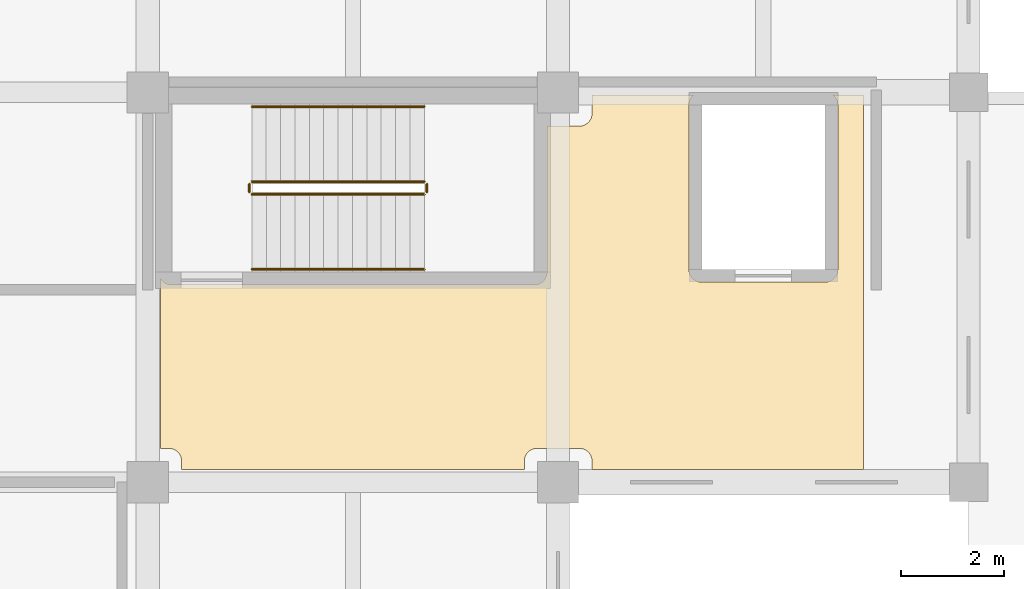
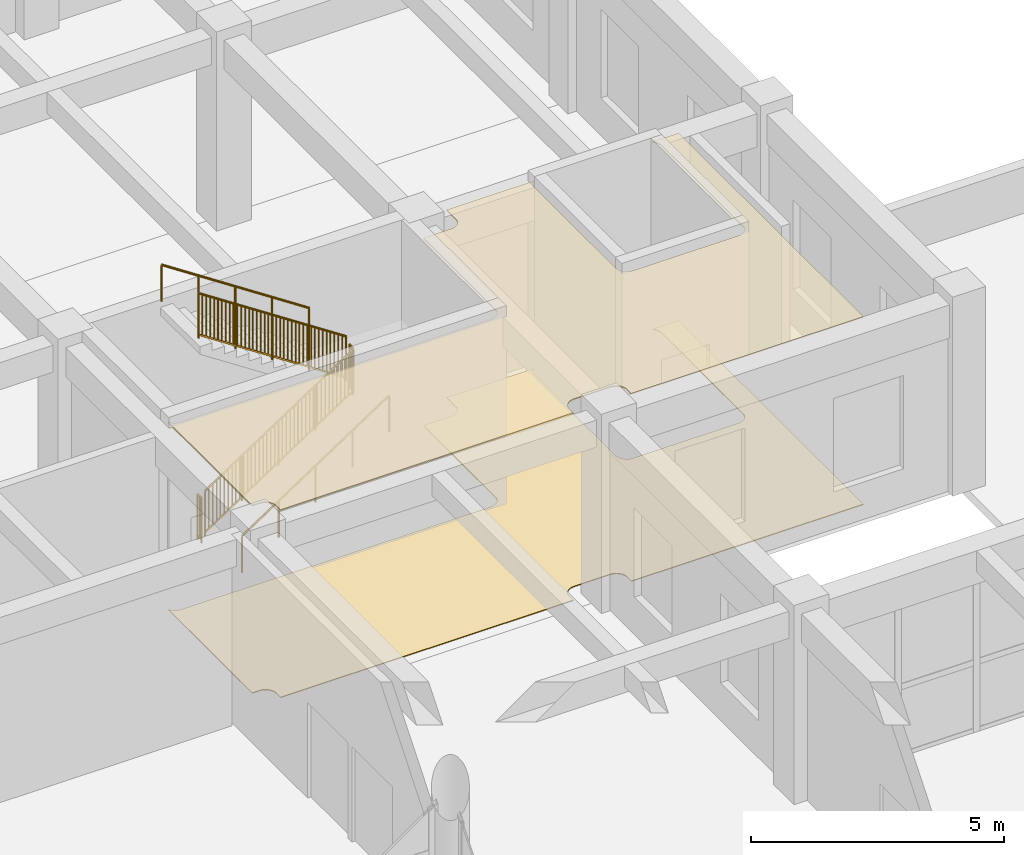
# One storey, part 97 of 101: 6 railings, 2 coverings.
"""IFC4 building model written with IfcOpenShell, lengths in metres."""

from ifc_helpers import new_model, si_unit, direction, frame, origin, origin_2d, place, context, subcontext, project, spatial, polyline, rectangle, circle, outline, extrude, material, layer, layer_set, type_object, element, save


model = new_model("IFC4")

# Units and contexts
model_context = context("Model", 3, precision=1e-05, world=origin(), true_north=direction((0.0, 1.0)))
body_context = subcontext(model_context, "Body", "Model", "MODEL_VIEW")
ifc_project = project(units=[si_unit("LENGTHUNIT", "METRE"), si_unit("AREAUNIT", "SQUARE_METRE"), si_unit("VOLUMEUNIT", "CUBIC_METRE"), si_unit("PLANEANGLEUNIT", "RADIAN"), si_unit("MASSUNIT", "GRAM", prefix="KILO")], contexts=[model_context])

# Site, building, storey
site_placement = place(None, origin())
site = spatial("IfcSite", under=ifc_project, at=site_placement, CompositionType="ELEMENT")
building_placement = place(site_placement, origin())
building = spatial("IfcBuilding", under=site, at=building_placement, Name="Zantavel Square City Hall", CompositionType="ELEMENT")
storey_placement = place(building_placement, frame((0.0, 0.0, 5.39990234375)))
storey = spatial("IfcBuildingStorey", under=building, at=storey_placement, Name="L02", CompositionType="ELEMENT", Elevation=5.39990234375)

# Railings
ifc_material_1 = material(Name="Steel ASTM A500 Grade B", Category="steel")
railing_type_1 = type_object("IfcRailingType", Name="Atrium & Gallery Steel Guard Railing 1100mm", PredefinedType="GUARDRAIL", material=ifc_material_1)
railing_1_placement = place(storey_placement, frame((50.030029296875, 81.610107421875, 0.184814453125)))
element("IfcRailing", 1, at=railing_1_placement, inside=storey, type_object=railing_type_1, Name="L02 ST1 stair guard 1", PredefinedType="GUARDRAIL", context=body_context, shape_type="SweptSolid", body=[
    extrude(circle(Radius=0.02392578125, at=origin_2d()), frame((0.0, 0.0, 1.076171875), z_axis=(0.834858096282, 0.0, 0.550465220583), x_axis=(0.0, 1.0, 0.0)), (0.0, 0.0, 1.0), 4.0244140625),
    extrude(rectangle(XDim=0.031982421875, YDim=0.031982421875, at=origin_2d()), frame((0.0, 0.0, 0.080078125), z_axis=(0.834858096282, 0.0, 0.550465220583), x_axis=(0.0, 1.0, 0.0)), (0.0, 0.0, 1.0), 4.0244140625),
    extrude(rectangle(XDim=0.02197265625, YDim=0.02197265625, at=origin_2d()), frame((0.08837890625, 0.0, 0.13818359375)), (0.0, 0.0, 1.0), 0.971923828125),
    extrude(rectangle(XDim=0.02197265625, YDim=0.02197265625, at=origin_2d()), frame((0.1767578125, 0.0, 0.196533203125)), (0.0, 0.0, 1.0), 0.971923828125),
    extrude(rectangle(XDim=0.02197265625, YDim=0.02197265625, at=origin_2d()), frame((0.26513671875, 0.0, 0.2548828125)), (0.0, 0.0, 1.0), 0.971923828125),
    extrude(rectangle(XDim=0.02197265625, YDim=0.02197265625, at=origin_2d()), frame((0.353759765625, 0.0, 0.313232421875)), (0.0, 0.0, 1.0), 0.971923828125),
    extrude(rectangle(XDim=0.02197265625, YDim=0.02197265625, at=origin_2d()), frame((0.442138671875, 0.0, 0.37158203125)), (0.0, 0.0, 1.0), 0.971923828125),
    extrude(rectangle(XDim=0.02197265625, YDim=0.02197265625, at=origin_2d()), frame((0.530517578125, 0.0, 0.4296875)), (0.0, 0.0, 1.0), 0.971923828125),
    extrude(rectangle(XDim=0.02197265625, YDim=0.02197265625, at=origin_2d()), frame((0.618896484375, 0.0, 0.488037109375)), (0.0, 0.0, 1.0), 0.971923828125),
    extrude(rectangle(XDim=0.02197265625, YDim=0.02197265625, at=origin_2d()), frame((0.707275390625, 0.0, 0.54638671875)), (0.0, 0.0, 1.0), 0.971923828125),
    extrude(rectangle(XDim=0.02197265625, YDim=0.02197265625, at=origin_2d()), frame((0.795654296875, 0.0, 0.604736328125)), (0.0, 0.0, 1.0), 0.971923828125),
    extrude(rectangle(XDim=0.02197265625, YDim=0.02197265625, at=origin_2d()), frame((0.88427734375, 0.0, 0.6630859375)), (0.0, 0.0, 1.0), 0.971923828125),
    extrude(rectangle(XDim=0.02197265625, YDim=0.02197265625, at=origin_2d()), frame((0.97265625, 0.0, 0.72119140625)), (0.0, 0.0, 1.0), 0.971923828125),
    extrude(rectangle(XDim=0.02197265625, YDim=0.02197265625, at=origin_2d()), frame((1.06103515625, 0.0, 0.779541015625)), (0.0, 0.0, 1.0), 0.971923828125),
    extrude(rectangle(XDim=0.02197265625, YDim=0.02197265625, at=origin_2d()), frame((1.1494140625, 0.0, 0.837890625)), (0.0, 0.0, 1.0), 0.971923828125),
    extrude(rectangle(XDim=0.02197265625, YDim=0.02197265625, at=origin_2d()), frame((1.23779296875, 0.0, 0.896240234375)), (0.0, 0.0, 1.0), 0.971923828125),
    extrude(rectangle(XDim=0.02197265625, YDim=0.02197265625, at=origin_2d()), frame((1.326171875, 0.0, 0.95458984375)), (0.0, 0.0, 1.0), 0.971923828125),
    extrude(rectangle(XDim=0.02197265625, YDim=0.02197265625, at=origin_2d()), frame((1.414794921875, 0.0, 1.0126953125)), (0.0, 0.0, 1.0), 0.971923828125),
    extrude(rectangle(XDim=0.02197265625, YDim=0.02197265625, at=origin_2d()), frame((1.503173828125, 0.0, 1.071044921875)), (0.0, 0.0, 1.0), 0.971923828125),
    extrude(rectangle(XDim=0.02197265625, YDim=0.02197265625, at=origin_2d()), frame((1.591552734375, 0.0, 1.12939453125)), (0.0, 0.0, 1.0), 0.971923828125),
    extrude(rectangle(XDim=0.02197265625, YDim=0.02197265625, at=origin_2d()), frame((1.768310546875, 0.0, 1.245849609375)), (0.0, 0.0, 1.0), 0.971923828125),
    extrude(rectangle(XDim=0.02197265625, YDim=0.02197265625, at=origin_2d()), frame((1.856689453125, 0.0, 1.30419921875)), (0.0, 0.0, 1.0), 0.971923828125),
    extrude(rectangle(XDim=0.02197265625, YDim=0.02197265625, at=origin_2d()), frame((1.945068359375, 0.0, 1.362548828125)), (0.0, 0.0, 1.0), 0.971923828125),
    extrude(rectangle(XDim=0.02197265625, YDim=0.02197265625, at=origin_2d()), frame((2.03369140625, 0.0, 1.4208984375)), (0.0, 0.0, 1.0), 0.971923828125),
    extrude(rectangle(XDim=0.02197265625, YDim=0.02197265625, at=origin_2d()), frame((2.1220703125, 0.0, 1.479248046875)), (0.0, 0.0, 1.0), 0.971923828125),
    extrude(rectangle(XDim=0.02197265625, YDim=0.02197265625, at=origin_2d()), frame((2.21044921875, 0.0, 1.537353515625)), (0.0, 0.0, 1.0), 0.971923828125),
    extrude(rectangle(XDim=0.02197265625, YDim=0.02197265625, at=origin_2d()), frame((2.298828125, 0.0, 1.595703125)), (0.0, 0.0, 1.0), 0.971923828125),
    extrude(rectangle(XDim=0.02197265625, YDim=0.02197265625, at=origin_2d()), frame((2.38720703125, 0.0, 1.654052734375)), (0.0, 0.0, 1.0), 0.971923828125),
    extrude(rectangle(XDim=0.02197265625, YDim=0.02197265625, at=origin_2d()), frame((2.4755859375, 0.0, 1.71240234375)), (0.0, 0.0, 1.0), 0.971923828125),
    extrude(rectangle(XDim=0.02197265625, YDim=0.02197265625, at=origin_2d()), frame((2.564208984375, 0.0, 1.770751953125)), (0.0, 0.0, 1.0), 0.971923828125),
    extrude(rectangle(XDim=0.02197265625, YDim=0.02197265625, at=origin_2d()), frame((2.652587890625, 0.0, 1.828857421875)), (0.0, 0.0, 1.0), 0.971923828125),
    extrude(rectangle(XDim=0.02197265625, YDim=0.02197265625, at=origin_2d()), frame((2.740966796875, 0.0, 1.88720703125)), (0.0, 0.0, 1.0), 0.971923828125),
    extrude(rectangle(XDim=0.02197265625, YDim=0.02197265625, at=origin_2d()), frame((2.829345703125, 0.0, 1.945556640625)), (0.0, 0.0, 1.0), 0.971923828125),
    extrude(rectangle(XDim=0.02197265625, YDim=0.02197265625, at=origin_2d()), frame((2.917724609375, 0.0, 2.00390625)), (0.0, 0.0, 1.0), 0.971923828125),
    extrude(rectangle(XDim=0.02197265625, YDim=0.02197265625, at=origin_2d()), frame((3.006103515625, 0.0, 2.062255859375)), (0.0, 0.0, 1.0), 0.971923828125),
    extrude(rectangle(XDim=0.02197265625, YDim=0.02197265625, at=origin_2d()), frame((3.0947265625, 0.0, 2.120361328125)), (0.0, 0.0, 1.0), 0.971923828125),
    extrude(rectangle(XDim=0.02197265625, YDim=0.02197265625, at=origin_2d()), frame((3.18310546875, 0.0, 2.1787109375)), (0.0, 0.0, 1.0), 0.971923828125),
    extrude(rectangle(XDim=0.02197265625, YDim=0.02197265625, at=origin_2d()), frame((3.271484375, 0.0, 2.237060546875)), (0.0, 0.0, 1.0), 0.971923828125),
    extrude(circle(Radius=0.02099609375, at=origin_2d()), origin(), (0.0, 0.0, 1.0), 1.052001953125),
    extrude(circle(Radius=0.02099609375, at=origin_2d()), frame((0.83984375, 0.0, 0.5537109375)), (0.0, 0.0, 1.0), 1.052001953125),
    extrude(circle(Radius=0.02099609375, at=origin_2d()), frame((1.679931640625, 0.0, 1.107666015625)), (0.0, 0.0, 1.0), 1.052001953125),
    extrude(circle(Radius=0.02099609375, at=origin_2d()), frame((2.52001953125, 0.0, 1.66162109375)), (0.0, 0.0, 1.0), 1.052001953125),
    extrude(circle(Radius=0.02099609375, at=origin_2d()), frame((3.35986328125, 0.0, 2.21533203125)), (0.0, 0.0, 1.0), 1.052001953125),
])
railing_2_placement = place(storey_placement, frame((53.43994140625, 81.659912109375, 2.400146484375)))
element("IfcRailing", 2, at=railing_2_placement, inside=storey, type_object=railing_type_1, Name="L02 ST1 stair guard 2", PredefinedType="GUARDRAIL", context=body_context, shape_type="SweptSolid", body=[
    extrude(circle(Radius=0.02392578125, at=origin_2d()), frame((0.0, 0.0, 1.076171875), z_axis=(0.0, 1.0, 0.0), x_axis=(-1.0, 0.0, 0.0)), (0.0, 0.0, 1.0), 0.150146484375),
    extrude(rectangle(XDim=0.031982421875, YDim=0.031982421875, at=origin_2d()), frame((0.0, 0.0, 0.080078125), z_axis=(0.0, 1.0, 0.0), x_axis=(-1.0, 0.0, 0.0)), (0.0, 0.0, 1.0), 0.150146484375),
    extrude(rectangle(XDim=0.02197265625, YDim=0.02197265625, at=origin_2d()), frame((0.0, 0.0751953125, 0.080078125)), (0.0, 0.0, 1.0), 0.971923828125),
    extrude(circle(Radius=0.02099609375, at=origin_2d()), origin(), (0.0, 0.0, 1.0), 1.052001953125),
    extrude(circle(Radius=0.02099609375, at=origin_2d()), frame((0.0, 0.150146484375, 0.0)), (0.0, 0.0, 1.0), 1.052001953125),
])
railing_3_placement = place(storey_placement, frame((53.389892578125, 81.860107421875, 2.584716796875)))
element("IfcRailing", 3, at=railing_3_placement, inside=storey, type_object=railing_type_1, Name="L02 ST1 stair guard 3", PredefinedType="GUARDRAIL", context=body_context, shape_type="SweptSolid", body=[
    extrude(circle(Radius=0.02392578125, at=origin_2d()), frame((0.0, 0.0, 1.076171875), z_axis=(-0.834858096282, 0.0, 0.550465220583), x_axis=(0.0, -1.0, 0.0)), (0.0, 0.0, 1.0), 4.0244140625),
    extrude(rectangle(XDim=0.031982421875, YDim=0.031982421875, at=origin_2d()), frame((0.0, 0.0, 0.080078125), z_axis=(-0.834858096282, 0.0, 0.550465220583), x_axis=(0.0, -1.0, 0.0)), (0.0, 0.0, 1.0), 4.0244140625),
    extrude(rectangle(XDim=0.02197265625, YDim=0.02197265625, at=origin_2d()), frame((-0.08837890625, 0.0, 0.13818359375)), (0.0, 0.0, 1.0), 0.971923828125),
    extrude(rectangle(XDim=0.02197265625, YDim=0.02197265625, at=origin_2d()), frame((-0.1767578125, 0.0, 0.196533203125)), (0.0, 0.0, 1.0), 0.971923828125),
    extrude(rectangle(XDim=0.02197265625, YDim=0.02197265625, at=origin_2d()), frame((-0.26513671875, 0.0, 0.2548828125)), (0.0, 0.0, 1.0), 0.971923828125),
    extrude(rectangle(XDim=0.02197265625, YDim=0.02197265625, at=origin_2d()), frame((-0.353759765625, 0.0, 0.313232421875)), (0.0, 0.0, 1.0), 0.971923828125),
    extrude(rectangle(XDim=0.02197265625, YDim=0.02197265625, at=origin_2d()), frame((-0.442138671875, 0.0, 0.37158203125)), (0.0, 0.0, 1.0), 0.971923828125),
    extrude(rectangle(XDim=0.02197265625, YDim=0.02197265625, at=origin_2d()), frame((-0.530517578125, 0.0, 0.4296875)), (0.0, 0.0, 1.0), 0.971923828125),
    extrude(rectangle(XDim=0.02197265625, YDim=0.02197265625, at=origin_2d()), frame((-0.618896484375, 0.0, 0.488037109375)), (0.0, 0.0, 1.0), 0.971923828125),
    extrude(rectangle(XDim=0.02197265625, YDim=0.02197265625, at=origin_2d()), frame((-0.707275390625, 0.0, 0.54638671875)), (0.0, 0.0, 1.0), 0.971923828125),
    extrude(rectangle(XDim=0.02197265625, YDim=0.02197265625, at=origin_2d()), frame((-0.795654296875, 0.0, 0.604736328125)), (0.0, 0.0, 1.0), 0.971923828125),
    extrude(rectangle(XDim=0.02197265625, YDim=0.02197265625, at=origin_2d()), frame((-0.88427734375, 0.0, 0.6630859375)), (0.0, 0.0, 1.0), 0.971923828125),
    extrude(rectangle(XDim=0.02197265625, YDim=0.02197265625, at=origin_2d()), frame((-0.97265625, 0.0, 0.72119140625)), (0.0, 0.0, 1.0), 0.971923828125),
    extrude(rectangle(XDim=0.02197265625, YDim=0.02197265625, at=origin_2d()), frame((-1.06103515625, 0.0, 0.779541015625)), (0.0, 0.0, 1.0), 0.971923828125),
    extrude(rectangle(XDim=0.02197265625, YDim=0.02197265625, at=origin_2d()), frame((-1.1494140625, 0.0, 0.837890625)), (0.0, 0.0, 1.0), 0.971923828125),
    extrude(rectangle(XDim=0.02197265625, YDim=0.02197265625, at=origin_2d()), frame((-1.23779296875, 0.0, 0.896240234375)), (0.0, 0.0, 1.0), 0.971923828125),
    extrude(rectangle(XDim=0.02197265625, YDim=0.02197265625, at=origin_2d()), frame((-1.326171875, 0.0, 0.95458984375)), (0.0, 0.0, 1.0), 0.971923828125),
    extrude(rectangle(XDim=0.02197265625, YDim=0.02197265625, at=origin_2d()), frame((-1.414794921875, 0.0, 1.0126953125)), (0.0, 0.0, 1.0), 0.971923828125),
    extrude(rectangle(XDim=0.02197265625, YDim=0.02197265625, at=origin_2d()), frame((-1.503173828125, 0.0, 1.071044921875)), (0.0, 0.0, 1.0), 0.971923828125),
    extrude(rectangle(XDim=0.02197265625, YDim=0.02197265625, at=origin_2d()), frame((-1.591552734375, 0.0, 1.12939453125)), (0.0, 0.0, 1.0), 0.971923828125),
    extrude(rectangle(XDim=0.02197265625, YDim=0.02197265625, at=origin_2d()), frame((-1.768310546875, 0.0, 1.245849609375)), (0.0, 0.0, 1.0), 0.971923828125),
    extrude(rectangle(XDim=0.02197265625, YDim=0.02197265625, at=origin_2d()), frame((-1.856689453125, 0.0, 1.30419921875)), (0.0, 0.0, 1.0), 0.971923828125),
    extrude(rectangle(XDim=0.02197265625, YDim=0.02197265625, at=origin_2d()), frame((-1.945068359375, 0.0, 1.362548828125)), (0.0, 0.0, 1.0), 0.971923828125),
    extrude(rectangle(XDim=0.02197265625, YDim=0.02197265625, at=origin_2d()), frame((-2.03369140625, 0.0, 1.4208984375)), (0.0, 0.0, 1.0), 0.971923828125),
    extrude(rectangle(XDim=0.02197265625, YDim=0.02197265625, at=origin_2d()), frame((-2.1220703125, 0.0, 1.479248046875)), (0.0, 0.0, 1.0), 0.971923828125),
    extrude(rectangle(XDim=0.02197265625, YDim=0.02197265625, at=origin_2d()), frame((-2.21044921875, 0.0, 1.537353515625)), (0.0, 0.0, 1.0), 0.971923828125),
    extrude(rectangle(XDim=0.02197265625, YDim=0.02197265625, at=origin_2d()), frame((-2.298828125, 0.0, 1.595703125)), (0.0, 0.0, 1.0), 0.971923828125),
    extrude(rectangle(XDim=0.02197265625, YDim=0.02197265625, at=origin_2d()), frame((-2.38720703125, 0.0, 1.654052734375)), (0.0, 0.0, 1.0), 0.971923828125),
    extrude(rectangle(XDim=0.02197265625, YDim=0.02197265625, at=origin_2d()), frame((-2.4755859375, 0.0, 1.71240234375)), (0.0, 0.0, 1.0), 0.971923828125),
    extrude(rectangle(XDim=0.02197265625, YDim=0.02197265625, at=origin_2d()), frame((-2.564208984375, 0.0, 1.770751953125)), (0.0, 0.0, 1.0), 0.971923828125),
    extrude(rectangle(XDim=0.02197265625, YDim=0.02197265625, at=origin_2d()), frame((-2.652587890625, 0.0, 1.828857421875)), (0.0, 0.0, 1.0), 0.971923828125),
    extrude(rectangle(XDim=0.02197265625, YDim=0.02197265625, at=origin_2d()), frame((-2.740966796875, 0.0, 1.88720703125)), (0.0, 0.0, 1.0), 0.971923828125),
    extrude(rectangle(XDim=0.02197265625, YDim=0.02197265625, at=origin_2d()), frame((-2.829345703125, 0.0, 1.945556640625)), (0.0, 0.0, 1.0), 0.971923828125),
    extrude(rectangle(XDim=0.02197265625, YDim=0.02197265625, at=origin_2d()), frame((-2.917724609375, 0.0, 2.00390625)), (0.0, 0.0, 1.0), 0.971923828125),
    extrude(rectangle(XDim=0.02197265625, YDim=0.02197265625, at=origin_2d()), frame((-3.006103515625, 0.0, 2.062255859375)), (0.0, 0.0, 1.0), 0.971923828125),
    extrude(rectangle(XDim=0.02197265625, YDim=0.02197265625, at=origin_2d()), frame((-3.0947265625, 0.0, 2.120361328125)), (0.0, 0.0, 1.0), 0.971923828125),
    extrude(rectangle(XDim=0.02197265625, YDim=0.02197265625, at=origin_2d()), frame((-3.18310546875, 0.0, 2.1787109375)), (0.0, 0.0, 1.0), 0.971923828125),
    extrude(rectangle(XDim=0.02197265625, YDim=0.02197265625, at=origin_2d()), frame((-3.271484375, 0.0, 2.237060546875)), (0.0, 0.0, 1.0), 0.971923828125),
    extrude(circle(Radius=0.02099609375, at=origin_2d()), origin(), (0.0, 0.0, 1.0), 1.052001953125),
    extrude(circle(Radius=0.02099609375, at=origin_2d()), frame((-0.83984375, 0.0, 0.5537109375)), (0.0, 0.0, 1.0), 1.052001953125),
    extrude(circle(Radius=0.02099609375, at=origin_2d()), frame((-1.679931640625, 0.0, 1.107666015625)), (0.0, 0.0, 1.0), 1.052001953125),
    extrude(circle(Radius=0.02099609375, at=origin_2d()), frame((-2.52001953125, 0.0, 1.66162109375)), (0.0, 0.0, 1.0), 1.052001953125),
    extrude(circle(Radius=0.02099609375, at=origin_2d()), frame((-3.35986328125, 0.0, 2.21533203125)), (0.0, 0.0, 1.0), 1.052001953125),
])
railing_4_placement = place(storey_placement, frame((49.97998046875, 81.659912109375, 0.0)))
element("IfcRailing", 4, at=railing_4_placement, inside=storey, type_object=railing_type_1, Name="L02 ST1 stair guard 4", PredefinedType="GUARDRAIL", context=body_context, shape_type="SweptSolid", body=[
    extrude(circle(Radius=0.02392578125, at=origin_2d()), frame((0.0, 0.0, 1.076171875), z_axis=(0.0, 1.0, 0.0), x_axis=(-1.0, 0.0, 0.0)), (0.0, 0.0, 1.0), 0.150146484375),
    extrude(rectangle(XDim=0.031982421875, YDim=0.031982421875, at=origin_2d()), frame((0.0, 0.0, 0.080078125), z_axis=(0.0, 1.0, 0.0), x_axis=(-1.0, 0.0, 0.0)), (0.0, 0.0, 1.0), 0.150146484375),
    extrude(rectangle(XDim=0.02197265625, YDim=0.02197265625, at=origin_2d()), frame((0.0, 0.0751953125, 0.080078125)), (0.0, 0.0, 1.0), 0.971923828125),
    extrude(circle(Radius=0.02099609375, at=origin_2d()), origin(), (0.0, 0.0, 1.0), 1.052001953125),
    extrude(circle(Radius=0.02099609375, at=origin_2d()), frame((0.0, 0.150146484375, 0.0)), (0.0, 0.0, 1.0), 1.052001953125),
])

# Coverings
ifc_material_2 = material(Name="Terrazzo stone finish", Category="masonry")
ifc_layer_1 = layer(ifc_material_2, 0.02001953125, Name="Terrazzo stone finish")
ifc_layer_set_1 = layer_set([ifc_layer_1], Name="Terrazzo stone finish")
covering_type_1 = type_object("IfcCoveringType", Name="Honed Cantera-Terrazzo Civic Flooring 20mm", PredefinedType="FLOORING", material=ifc_layer_set_1)
covering_1_placement = place(storey_placement, origin())
element("IfcCovering", 5, at=covering_1_placement, inside=storey, type_object=covering_type_1, Name="L02 L02 North-West Lift Lobby Terrazzo Flooring", PredefinedType="FLOORING", context=body_context, shape_type="SweptSolid", body=[
    extrude(outline(polyline([(48.276611328125, 79.94140625), (48.293212890625, 79.923095703125), (48.311279296875, 79.90673828125), (48.3310546875, 79.89208984375), (48.352294921875, 79.87939453125), (48.374267578125, 79.868896484375), (48.3974609375, 79.86083984375), (48.421142578125, 79.854736328125), (48.445556640625, 79.851318359375), (48.469970703125, 79.85009765625), (55.530029296875, 79.85009765625), (55.554443359375, 79.851318359375), (55.578857421875, 79.854736328125), (55.6025390625, 79.86083984375), (55.625732421875, 79.868896484375), (55.647705078125, 79.87939453125), (55.6689453125, 79.89208984375), (55.688720703125, 79.90673828125), (55.706787109375, 79.923095703125), (55.723388671875, 79.94140625), (55.73779296875, 79.961181640625), (55.75048828125, 79.982177734375), (55.760986328125, 80.00439453125), (55.769287109375, 80.02734375), (55.775146484375, 80.05126953125), (55.77880859375, 80.075439453125), (55.780029296875, 80.10009765625), (55.780029296875, 82.93994140625), (56.409912109375, 82.93994140625), (56.4345703125, 82.941162109375), (56.458740234375, 82.94482421875), (56.482666015625, 82.95068359375), (56.505615234375, 82.958984375), (56.52783203125, 82.969482421875), (56.548828125, 82.982177734375), (56.568603515625, 82.99658203125), (56.5869140625, 83.01318359375), (56.603271484375, 83.031494140625), (56.617919921875, 83.051025390625), (56.630615234375, 83.072265625), (56.64111328125, 83.09423828125), (56.649169921875, 83.117431640625), (56.6552734375, 83.14111328125), (56.65869140625, 83.16552734375), (56.659912109375, 83.18994140625), (56.659912109375, 83.550048828125), (58.650390625, 83.550048828125), (58.641357421875, 83.543212890625), (58.623291015625, 83.52685546875), (58.606689453125, 83.508544921875), (58.592041015625, 83.489013671875), (58.57958984375, 83.4677734375), (58.569091796875, 83.44580078125), (58.560791015625, 83.422607421875), (58.5546875, 83.398681640625), (58.55126953125, 83.37451171875), (58.550048828125, 83.35009765625), (58.550048828125, 80.14990234375), (58.55126953125, 80.12548828125), (58.5546875, 80.101318359375), (58.560791015625, 80.077392578125), (58.569091796875, 80.05419921875), (58.57958984375, 80.0322265625), (58.592041015625, 80.010986328125), (58.606689453125, 79.991455078125), (58.623291015625, 79.97314453125), (58.641357421875, 79.956787109375), (58.6611328125, 79.942138671875), (58.68212890625, 79.929443359375), (58.704345703125, 79.9189453125), (58.727294921875, 79.910888671875), (58.751220703125, 79.90478515625), (58.775390625, 79.901123046875), (58.800048828125, 79.89990234375), (61.199951171875, 79.89990234375), (61.224609375, 79.901123046875), (61.248779296875, 79.90478515625), (61.272705078125, 79.910888671875), (61.295654296875, 79.9189453125), (61.31787109375, 79.929443359375), (61.3388671875, 79.942138671875), (61.358642578125, 79.956787109375), (61.376708984375, 79.97314453125), (61.393310546875, 79.991455078125), (61.407958984375, 80.010986328125), (61.42041015625, 80.0322265625), (61.430908203125, 80.05419921875), (61.439208984375, 80.077392578125), (61.4453125, 80.101318359375), (61.44873046875, 80.12548828125), (61.449951171875, 80.14990234375), (61.449951171875, 83.35009765625), (61.44873046875, 83.37451171875), (61.4453125, 83.398681640625), (61.439208984375, 83.422607421875), (61.430908203125, 83.44580078125), (61.42041015625, 83.4677734375), (61.407958984375, 83.489013671875), (61.393310546875, 83.508544921875), (61.376708984375, 83.52685546875), (61.358642578125, 83.543212890625), (61.349609375, 83.550048828125), (61.949951171875, 83.550048828125), (61.949951171875, 76.25), (56.659912109375, 76.25), (56.659912109375, 76.409912109375), (56.65869140625, 76.4345703125), (56.6552734375, 76.458740234375), (56.649169921875, 76.482666015625), (56.64111328125, 76.505615234375), (56.630615234375, 76.52783203125), (56.617919921875, 76.548828125), (56.603271484375, 76.568603515625), (56.5869140625, 76.5869140625), (56.568603515625, 76.603271484375), (56.548828125, 76.617919921875), (56.52783203125, 76.630615234375), (56.505615234375, 76.64111328125), (56.482666015625, 76.649169921875), (56.458740234375, 76.6552734375), (56.4345703125, 76.65869140625), (56.409912109375, 76.659912109375), (55.590087890625, 76.659912109375), (55.5654296875, 76.65869140625), (55.541259765625, 76.6552734375), (55.517333984375, 76.649169921875), (55.494384765625, 76.64111328125), (55.47216796875, 76.630615234375), (55.451171875, 76.617919921875), (55.431396484375, 76.603271484375), (55.4130859375, 76.5869140625), (55.396728515625, 76.568603515625), (55.382080078125, 76.548828125), (55.369384765625, 76.52783203125), (55.35888671875, 76.505615234375), (55.350830078125, 76.482666015625), (55.3447265625, 76.458740234375), (55.34130859375, 76.4345703125), (55.340087890625, 76.409912109375), (55.340087890625, 76.25), (48.659912109375, 76.25), (48.659912109375, 76.409912109375), (48.65869140625, 76.4345703125), (48.6552734375, 76.458740234375), (48.649169921875, 76.482666015625), (48.64111328125, 76.505615234375), (48.630615234375, 76.52783203125), (48.617919921875, 76.548828125), (48.603271484375, 76.568603515625), (48.5869140625, 76.5869140625), (48.568603515625, 76.603271484375), (48.548828125, 76.617919921875), (48.52783203125, 76.630615234375), (48.505615234375, 76.64111328125), (48.482666015625, 76.649169921875), (48.458740234375, 76.6552734375), (48.4345703125, 76.65869140625), (48.409912109375, 76.659912109375), (48.25, 76.659912109375), (48.25, 79.981201171875), (48.26220703125, 79.961181640625), (48.276611328125, 79.94140625)])), origin(), (0.0, 0.0, 1.0), 0.02001953125),
])
ifc_material_3 = material(Name="Gypsum acoustic stud assembly", Category="masonry")
ifc_layer_2 = layer(ifc_material_3, 0.02490234375, Name="Gypsum acoustic stud assembly")
ifc_layer_set_2 = layer_set([ifc_layer_2], Name="Gypsum acoustic stud assembly")
covering_type_2 = type_object("IfcCoveringType", Name="Perforated Gypsum Acoustic Ceiling 25mm", PredefinedType="CEILING", material=ifc_layer_set_2)
covering_2_placement = place(storey_placement, frame((0.0, 0.0, 4.51513671875)))
element("IfcCovering", 6, at=covering_2_placement, inside=storey, type_object=covering_type_2, Name="L02 L02 North-West Lift Lobby Acoustic Ceiling", PredefinedType="CEILING", context=body_context, shape_type="SweptSolid", body=[
    extrude(outline(polyline([(48.276611328125, 79.94140625), (48.293212890625, 79.923095703125), (48.311279296875, 79.90673828125), (48.3310546875, 79.89208984375), (48.352294921875, 79.87939453125), (48.374267578125, 79.868896484375), (48.3974609375, 79.86083984375), (48.421142578125, 79.854736328125), (48.445556640625, 79.851318359375), (48.469970703125, 79.85009765625), (55.530029296875, 79.85009765625), (55.554443359375, 79.851318359375), (55.578857421875, 79.854736328125), (55.6025390625, 79.86083984375), (55.625732421875, 79.868896484375), (55.647705078125, 79.87939453125), (55.6689453125, 79.89208984375), (55.688720703125, 79.90673828125), (55.706787109375, 79.923095703125), (55.723388671875, 79.94140625), (55.73779296875, 79.961181640625), (55.75048828125, 79.982177734375), (55.760986328125, 80.00439453125), (55.769287109375, 80.02734375), (55.775146484375, 80.05126953125), (55.77880859375, 80.075439453125), (55.780029296875, 80.10009765625), (55.780029296875, 82.93994140625), (56.409912109375, 82.93994140625), (56.4345703125, 82.941162109375), (56.458740234375, 82.94482421875), (56.482666015625, 82.95068359375), (56.505615234375, 82.958984375), (56.52783203125, 82.969482421875), (56.548828125, 82.982177734375), (56.568603515625, 82.99658203125), (56.5869140625, 83.01318359375), (56.603271484375, 83.031494140625), (56.617919921875, 83.051025390625), (56.630615234375, 83.072265625), (56.64111328125, 83.09423828125), (56.649169921875, 83.117431640625), (56.6552734375, 83.14111328125), (56.65869140625, 83.16552734375), (56.659912109375, 83.18994140625), (56.659912109375, 83.550048828125), (58.650390625, 83.550048828125), (58.641357421875, 83.543212890625), (58.623291015625, 83.52685546875), (58.606689453125, 83.508544921875), (58.592041015625, 83.489013671875), (58.57958984375, 83.4677734375), (58.569091796875, 83.44580078125), (58.560791015625, 83.422607421875), (58.5546875, 83.398681640625), (58.55126953125, 83.37451171875), (58.550048828125, 83.35009765625), (58.550048828125, 80.14990234375), (58.55126953125, 80.12548828125), (58.5546875, 80.101318359375), (58.560791015625, 80.077392578125), (58.569091796875, 80.05419921875), (58.57958984375, 80.0322265625), (58.592041015625, 80.010986328125), (58.606689453125, 79.991455078125), (58.623291015625, 79.97314453125), (58.641357421875, 79.956787109375), (58.6611328125, 79.942138671875), (58.68212890625, 79.929443359375), (58.704345703125, 79.9189453125), (58.727294921875, 79.910888671875), (58.751220703125, 79.90478515625), (58.775390625, 79.901123046875), (58.800048828125, 79.89990234375), (61.199951171875, 79.89990234375), (61.224609375, 79.901123046875), (61.248779296875, 79.90478515625), (61.272705078125, 79.910888671875), (61.295654296875, 79.9189453125), (61.31787109375, 79.929443359375), (61.3388671875, 79.942138671875), (61.358642578125, 79.956787109375), (61.376708984375, 79.97314453125), (61.393310546875, 79.991455078125), (61.407958984375, 80.010986328125), (61.42041015625, 80.0322265625), (61.430908203125, 80.05419921875), (61.439208984375, 80.077392578125), (61.4453125, 80.101318359375), (61.44873046875, 80.12548828125), (61.449951171875, 80.14990234375), (61.449951171875, 83.35009765625), (61.44873046875, 83.37451171875), (61.4453125, 83.398681640625), (61.439208984375, 83.422607421875), (61.430908203125, 83.44580078125), (61.42041015625, 83.4677734375), (61.407958984375, 83.489013671875), (61.393310546875, 83.508544921875), (61.376708984375, 83.52685546875), (61.358642578125, 83.543212890625), (61.349609375, 83.550048828125), (61.949951171875, 83.550048828125), (61.949951171875, 76.25), (56.659912109375, 76.25), (56.659912109375, 76.409912109375), (56.65869140625, 76.4345703125), (56.6552734375, 76.458740234375), (56.649169921875, 76.482666015625), (56.64111328125, 76.505615234375), (56.630615234375, 76.52783203125), (56.617919921875, 76.548828125), (56.603271484375, 76.568603515625), (56.5869140625, 76.5869140625), (56.568603515625, 76.603271484375), (56.548828125, 76.617919921875), (56.52783203125, 76.630615234375), (56.505615234375, 76.64111328125), (56.482666015625, 76.649169921875), (56.458740234375, 76.6552734375), (56.4345703125, 76.65869140625), (56.409912109375, 76.659912109375), (55.590087890625, 76.659912109375), (55.5654296875, 76.65869140625), (55.541259765625, 76.6552734375), (55.517333984375, 76.649169921875), (55.494384765625, 76.64111328125), (55.47216796875, 76.630615234375), (55.451171875, 76.617919921875), (55.431396484375, 76.603271484375), (55.4130859375, 76.5869140625), (55.396728515625, 76.568603515625), (55.382080078125, 76.548828125), (55.369384765625, 76.52783203125), (55.35888671875, 76.505615234375), (55.350830078125, 76.482666015625), (55.3447265625, 76.458740234375), (55.34130859375, 76.4345703125), (55.340087890625, 76.409912109375), (55.340087890625, 76.25), (48.659912109375, 76.25), (48.659912109375, 76.409912109375), (48.65869140625, 76.4345703125), (48.6552734375, 76.458740234375), (48.649169921875, 76.482666015625), (48.64111328125, 76.505615234375), (48.630615234375, 76.52783203125), (48.617919921875, 76.548828125), (48.603271484375, 76.568603515625), (48.5869140625, 76.5869140625), (48.568603515625, 76.603271484375), (48.548828125, 76.617919921875), (48.52783203125, 76.630615234375), (48.505615234375, 76.64111328125), (48.482666015625, 76.649169921875), (48.458740234375, 76.6552734375), (48.4345703125, 76.65869140625), (48.409912109375, 76.659912109375), (48.25, 76.659912109375), (48.25, 79.981201171875), (48.26220703125, 79.961181640625), (48.276611328125, 79.94140625)])), origin(), (0.0, 0.0, 1.0), 0.02490234375),
])

# Railings
ifc_material_4 = material(Name="Stainless steel 316", Category="steel")
railing_type_2 = type_object("IfcRailingType", Name="Stair Stainless Steel Handrail 900mm", PredefinedType="HANDRAIL", material=ifc_material_4)
railing_5_placement = place(storey_placement, frame((50.030029296875, 80.14990234375, 0.184814453125)))
element("IfcRailing", 7, at=railing_5_placement, inside=storey, type_object=railing_type_2, Name="L02 ST1 stair handrail 1", PredefinedType="HANDRAIL", context=body_context, shape_type="SweptSolid", body=[
    extrude(circle(Radius=0.02392578125, at=origin_2d()), frame((0.0, 0.0, 0.8759765625), z_axis=(0.834858096282, 0.0, 0.550465220583), x_axis=(0.0, 1.0, 0.0)), (0.0, 0.0, 1.0), 4.0244140625),
    extrude(circle(Radius=0.02099609375, at=origin_2d()), origin(), (0.0, 0.0, 1.0), 0.851806640625),
    extrude(circle(Radius=0.02099609375, at=origin_2d()), frame((0.83984375, 0.0, 0.5537109375)), (0.0, 0.0, 1.0), 0.851806640625),
    extrude(circle(Radius=0.02099609375, at=origin_2d()), frame((1.679931640625, 0.0, 1.107666015625)), (0.0, 0.0, 1.0), 0.851806640625),
    extrude(circle(Radius=0.02099609375, at=origin_2d()), frame((2.52001953125, 0.0, 1.66162109375)), (0.0, 0.0, 1.0), 0.851806640625),
    extrude(circle(Radius=0.02099609375, at=origin_2d()), frame((3.35986328125, 0.0, 2.21533203125)), (0.0, 0.0, 1.0), 0.851806640625),
])
railing_6_placement = place(storey_placement, frame((53.389892578125, 83.320068359375, 2.584716796875)))
element("IfcRailing", 8, at=railing_6_placement, inside=storey, type_object=railing_type_2, Name="L02 ST1 stair handrail 2", PredefinedType="HANDRAIL", context=body_context, shape_type="SweptSolid", body=[
    extrude(circle(Radius=0.02392578125, at=origin_2d()), frame((0.0, 0.0, 0.8759765625), z_axis=(-0.834858096282, 0.0, 0.550465220583), x_axis=(0.0, -1.0, 0.0)), (0.0, 0.0, 1.0), 4.0244140625),
    extrude(circle(Radius=0.02099609375, at=origin_2d()), origin(), (0.0, 0.0, 1.0), 0.851806640625),
    extrude(circle(Radius=0.02099609375, at=origin_2d()), frame((-0.83984375, 0.0, 0.5537109375)), (0.0, 0.0, 1.0), 0.851806640625),
    extrude(circle(Radius=0.02099609375, at=origin_2d()), frame((-1.679931640625, 0.0, 1.107666015625)), (0.0, 0.0, 1.0), 0.851806640625),
    extrude(circle(Radius=0.02099609375, at=origin_2d()), frame((-2.52001953125, 0.0, 1.66162109375)), (0.0, 0.0, 1.0), 0.851806640625),
    extrude(circle(Radius=0.02099609375, at=origin_2d()), frame((-3.35986328125, 0.0, 2.21533203125)), (0.0, 0.0, 1.0), 0.851806640625),
])

save(model, "model.ifc")
